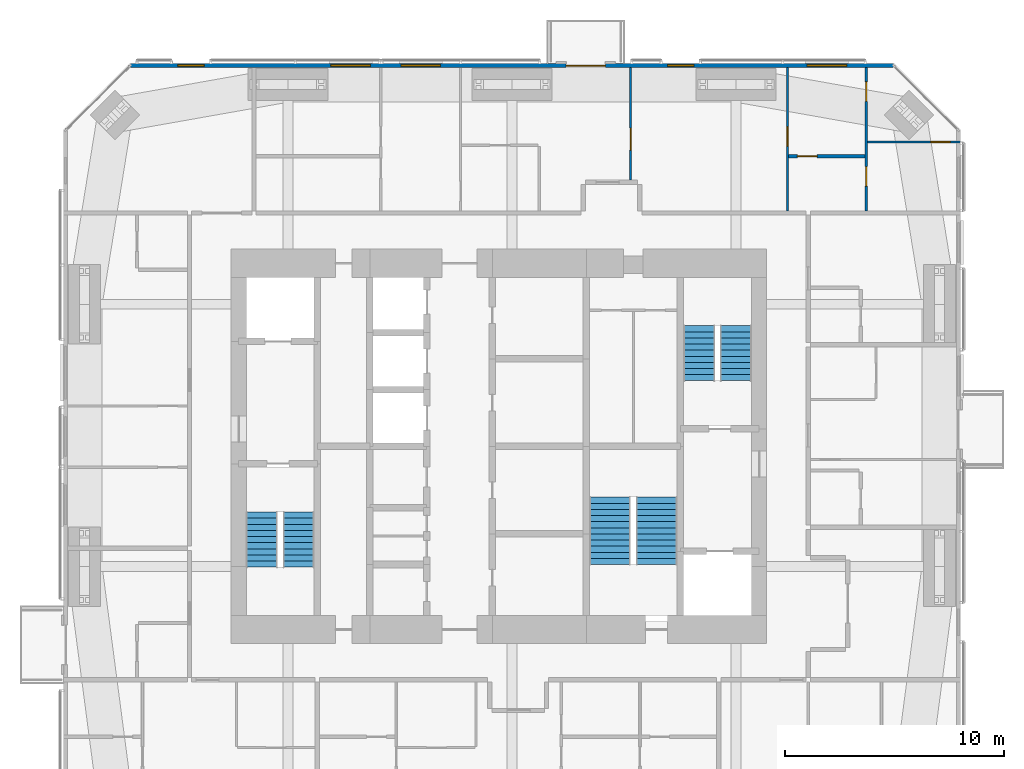
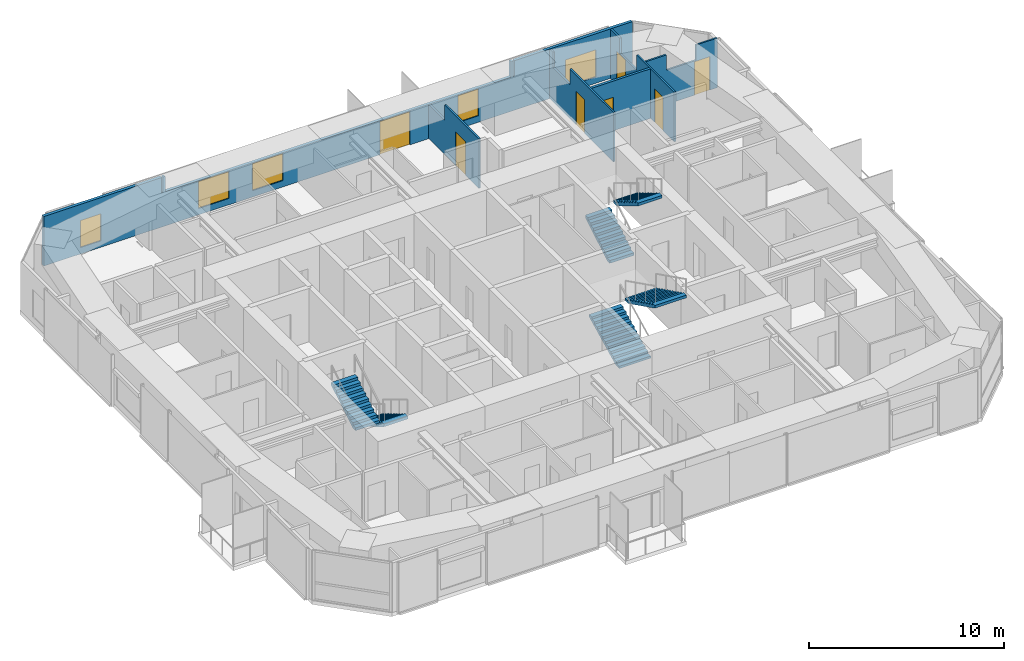
# One storey, part 22 of 23: 7 doors, 6 stair flights, 6 walls, 5 windows, 12 openings, 3 elements without a shape of their own.
"""IFC4 building model written with IfcOpenShell, lengths in metres."""

import ifcopenshell
import ifcopenshell.guid

model = None  # the IFC model being written
_history = None  # IfcOwnerHistory: only IFC2X3 demands one
_inside = {}  # id of a spatial element -> (the spatial element, [elements in it])
_under = {}  # id of a project, library or spatial element -> (it, [spatial elements below it])
_declared = {}  # id of a project -> (the project, [libraries it declares])
_typed = {}  # id of a type object -> (the type object, [elements of that type])
_made_of = {}  # id of a material, layer set ... -> (it, [elements and type objects made of it])


def new_model(schema):
    """Start an empty IFC model of exactly this schema.

    Asked for "IFC4X3", IfcOpenShell would pick the latest addendum, in which some entities
    have other attributes; the version numbers below select the first issue.
    IFC2X3 requires an IfcOwnerHistory on every rooted entity: one is made here for all.
    """
    global model, _history
    if schema == "IFC4X3":
        model = ifcopenshell.file(schema_version=(4, 3, 0, 0))
    else:
        model = ifcopenshell.file(schema=schema)
    _inside.clear()
    _under.clear()
    _declared.clear()
    _typed.clear()
    _made_of.clear()
    _history = None
    if model.schema == "IFC2X3":
        org = make("IfcOrganization", Name="unknown")
        user = make(
            "IfcPersonAndOrganization",
            ThePerson=make("IfcPerson", FamilyName="unknown"),
            TheOrganization=org,
        )
        app = make(
            "IfcApplication",
            ApplicationDeveloper=org,
            Version="unknown",
            ApplicationFullName="unknown",
            ApplicationIdentifier="unknown",
        )
        _history = make(
            "IfcOwnerHistory",
            OwningUser=user,
            OwningApplication=app,
            ChangeAction="ADDED",
            CreationDate=0,
        )
    return model


def make(cls, **values):
    """One entity of the class cls with the attributes given. An attribute that is None is left unset."""
    return model.create_entity(
        cls, **{name: value for name, value in values.items() if value is not None}
    )


def rooted(cls, **values):
    """An entity with a GlobalId (a new one), such as an element, a storey or a relation."""
    return make(cls, GlobalId=ifcopenshell.guid.new(), OwnerHistory=_history, **values)


def si_unit(unit_type, name, prefix=None):
    """IfcSIUnit, for example si_unit("LENGTHUNIT", "METRE", prefix="MILLI")."""
    return make("IfcSIUnit", UnitType=unit_type, Prefix=prefix, Name=name)


def assignment(units):
    """IfcUnitAssignment: the units of a project."""
    return None if units is None else make("IfcUnitAssignment", Units=units)


def point(xyz):
    """IfcCartesianPoint."""
    return None if xyz is None else make("IfcCartesianPoint", Coordinates=xyz)


def direction(xyz):
    """IfcDirection."""
    return None if xyz is None else make("IfcDirection", DirectionRatios=xyz)


def frame(location, z_axis=None, x_axis=None):
    """IfcAxis2Placement3D, a coordinate frame: its origin and axes. An axis left out is left unset."""
    return make(
        "IfcAxis2Placement3D",
        Location=point(location),
        Axis=direction(z_axis),
        RefDirection=direction(x_axis),
    )


def frame_2d(location, x_axis=None):
    """IfcAxis2Placement2D, a coordinate frame in the plane: its origin and x axis."""
    return make(
        "IfcAxis2Placement2D", Location=point(location), RefDirection=direction(x_axis)
    )


def origin():
    """The frame at (0, 0, 0) with its axes left unset."""
    return frame((0.0, 0.0, 0.0))


def place(relative_to, where):
    """IfcLocalPlacement: puts the frame where relative to a parent placement (None: the world)."""
    return make(
        "IfcLocalPlacement", PlacementRelTo=relative_to, RelativePlacement=where
    )


def context(
    kind, dimensions, precision=None, world=None, true_north=None, identifier=None
):
    """IfcGeometricRepresentationContext, for example the 3D "Model" context."""
    return make(
        "IfcGeometricRepresentationContext",
        ContextIdentifier=identifier,
        ContextType=kind,
        CoordinateSpaceDimension=dimensions,
        Precision=precision,
        WorldCoordinateSystem=world,
        TrueNorth=true_north,
    )


def subcontext(parent, identifier, kind, view, scale=None):
    """IfcGeometricRepresentationSubContext, for example "Body" below "Model"."""
    return make(
        "IfcGeometricRepresentationSubContext",
        ContextIdentifier=identifier,
        ContextType=kind,
        ParentContext=parent,
        TargetScale=scale,
        TargetView=view,
    )


def project(units=None, contexts=None):
    """IfcProject with its units and contexts."""
    return rooted(
        "IfcProject",
        Name="project",
        RepresentationContexts=contexts,
        UnitsInContext=assignment(units),
    )


def spatial(cls, under=None, at=None, **own):
    """A site, building, storey or space (cls), placed at a placement, below another one or the project."""
    s = rooted(cls, ObjectPlacement=at, **own)
    if under is not None:
        _under.setdefault(under.id(), (under, []))[1].append(s)
    return s


def polyline(points):
    """IfcPolyline through the points."""
    return make("IfcPolyline", Points=[point(p) for p in points])


def profile(cls, at=None, kind="AREA", **sizes):
    """A parametric profile (cls). Its sizes go by their IFC names, for example OverallWidth=200.0."""
    return make(cls, ProfileType=kind, Position=at, **sizes)


def rectangle(**sizes):
    """IfcRectangleProfileDef."""
    return profile("IfcRectangleProfileDef", **sizes)


def outline(outer, holes=None, kind="AREA"):
    """IfcArbitraryClosedProfileDef: a profile drawn as a closed curve; with holes, ...WithVoids."""
    if holes is None:
        return make("IfcArbitraryClosedProfileDef", ProfileType=kind, OuterCurve=outer)
    return make(
        "IfcArbitraryProfileDefWithVoids",
        ProfileType=kind,
        OuterCurve=outer,
        InnerCurves=holes,
    )


def extrude(swept, where, along, depth):
    """IfcExtrudedAreaSolid: the profile swept, set in the frame where, extruded along a direction by depth."""
    return make(
        "IfcExtrudedAreaSolid",
        SweptArea=swept,
        Position=where,
        ExtrudedDirection=direction(along),
        Depth=depth,
    )


def shape(context_of_items, identifier, shape_type, items):
    """IfcShapeRepresentation: the items that make up one representation, for example the "Body"."""
    return make(
        "IfcShapeRepresentation",
        ContextOfItems=context_of_items,
        RepresentationIdentifier=identifier,
        RepresentationType=shape_type,
        Items=items,
    )


def material(Name=None, Category=None):
    """IfcMaterial."""
    return make("IfcMaterial", Name=Name, Category=Category)


def constituent(of_material, Name=None, Category=None, fraction=None):
    """IfcMaterialConstituent: one of the materials an element consists of."""
    return make(
        "IfcMaterialConstituent",
        Name=Name,
        Material=of_material,
        Fraction=fraction,
        Category=Category,
    )


def constituent_set(constituents=None, Name=None):
    """IfcMaterialConstituentSet."""
    return make(
        "IfcMaterialConstituentSet", Name=Name, MaterialConstituents=constituents
    )


def made_of(thing, what):
    """Note that an element or type object is made of a material, layer set ...; save() writes the relation."""
    if what is not None:
        _made_of.setdefault(what.id(), (what, []))[1].append(thing)
    return thing


def type_object(cls, material=None, **own):
    """A type object (cls), such as IfcWallType, which elements share."""
    return made_of(rooted(cls, **own), material)


def element(
    cls,
    number,
    at=None,
    inside=None,
    cuts=None,
    type_object=None,
    material=None,
    context=None,
    identifier="Body",
    shape_type=None,
    held_by="IfcProductDefinitionShape",
    body=None,
    shapes=None,
    **own,
):
    """One element of the class cls, such as IfcWall. Its Tag is "e" and its number.

    at: its placement. inside: the storey or other place that contains it. cuts: it is an
    opening in that element (IfcRelVoidsElement). A single representation is given by context,
    identifier, shape_type and body (its items); several are given by shapes. held_by: the class
    of the entity that holds the representations. save() writes the other relations.
    """
    e = rooted(cls, Tag="e%d" % number, ObjectPlacement=at, **own)
    if body is not None:
        shapes = [shape(context, identifier, shape_type, body)]
    if shapes is not None:
        e.Representation = make(held_by, Representations=shapes)
    if inside is not None:
        _inside.setdefault(inside.id(), (inside, []))[1].append(e)
    if cuts is not None:
        rooted(
            "IfcRelVoidsElement", RelatingBuildingElement=cuts, RelatedOpeningElement=e
        )
    if type_object is not None:
        _typed.setdefault(type_object.id(), (type_object, []))[1].append(e)
    return made_of(e, material)


def fill(opening, filler):
    """IfcRelFillsElement: the door or window that sits in an opening."""
    return rooted(
        "IfcRelFillsElement",
        RelatingOpeningElement=opening,
        RelatedBuildingElement=filler,
    )


def aggregate(whole, parts):
    """IfcRelAggregates: a whole, such as a stair, and the parts it consists of."""
    return rooted("IfcRelAggregates", RelatingObject=whole, RelatedObjects=parts)


def save(model, path):
    """Write the relations noted so far, then the file.

    IfcRelAggregates (storeys below a building ...), IfcRelContainedInSpatialStructure (elements
    in a storey), IfcRelDefinesByType, IfcRelAssociatesMaterial and IfcRelDeclares: one each for
    every whole, place, type object, material and project.
    """
    for whole, parts in _under.values():
        aggregate(whole, parts)
    for where, things in _inside.values():
        rooted(
            "IfcRelContainedInSpatialStructure",
            RelatedElements=things,
            RelatingStructure=where,
        )
    for kind, things in _typed.values():
        rooted("IfcRelDefinesByType", RelatedObjects=things, RelatingType=kind)
    for what, things in _made_of.values():
        rooted("IfcRelAssociatesMaterial", RelatedObjects=things, RelatingMaterial=what)
    for by, libraries in _declared.values():
        rooted("IfcRelDeclares", RelatingContext=by, RelatedDefinitions=libraries)
    model.write(path)


model = new_model("IFC4")

# Units and contexts
model_context = context("Model", 3, precision=1e-05, world=origin(), true_north=direction((0.0, 1.0)))
body_context = subcontext(model_context, "Body", "Model", "MODEL_VIEW")
ifc_project = project(units=[si_unit("LENGTHUNIT", "METRE"), si_unit("AREAUNIT", "SQUARE_METRE"), si_unit("VOLUMEUNIT", "CUBIC_METRE"), si_unit("PLANEANGLEUNIT", "RADIAN"), si_unit("MASSUNIT", "GRAM", prefix="KILO")], contexts=[model_context])

# Site, building, storey
site_placement = place(None, origin())
site = spatial("IfcSite", under=ifc_project, at=site_placement, CompositionType="ELEMENT")
building_placement = place(site_placement, origin())
building = spatial("IfcBuilding", under=site, at=building_placement, Name="Jalousie Tower", CompositionType="ELEMENT")
storey_placement = place(building_placement, frame((0.0, 0.0, 181.14990234375)))
storey = spatial("IfcBuildingStorey", under=building, at=storey_placement, Name="L49", CompositionType="ELEMENT", Elevation=181.14990234375)

# Wall, opening, door
ifc_material_1 = material(Name="Concrete block ASTM C90", Category="concrete")
ifc_constituent_1 = constituent(ifc_material_1, Name="Body")
ifc_material_2 = material(Name="Render")
ifc_constituent_2 = constituent(ifc_material_2, Name="Finish")
ifc_constituent_set_1 = constituent_set(constituents=[ifc_constituent_1, ifc_constituent_2])
wall_type_1 = type_object("IfcWallType", Name="BATHROOM WALL 150", PredefinedType="PLUMBINGWALL", material=ifc_constituent_set_1)
wall_1_placement = place(storey_placement, frame((45.14990234375, 31.77490234375, 0.0), z_axis=(0.0, 0.0, 1.0), x_axis=(1.0, 0.0, 0.0)))
wall_1 = element("IfcWall", 1, at=wall_1_placement, inside=storey, type_object=wall_type_1, Name="Bathroom Wall 150 L49", PredefinedType="PLUMBINGWALL", context=body_context, shape_type="SweptSolid", body=[
    extrude(rectangle(XDim=3.5, YDim=0.14990234375, at=frame_2d((1.75, 0.0))), origin(), (0.0, 0.0, 1.0), 3.110107421875),
])
opening_1_placement = place(wall_1_placement, frame((0.39990234375, 0.0, 0.0)))
opening_1 = element("IfcOpeningElement", 2, at=opening_1_placement, cuts=wall_1, Name="Opening D3", PredefinedType="OPENING", context=body_context, shape_type="SweptSolid", body=[
    extrude(rectangle(XDim=0.89990234375, YDim=2.10009765625, at=frame_2d((0.449951171875, 1.050048828125))), frame((0.0, 0.0849609375, 0.0), z_axis=(0.0, -1.0, 0.0), x_axis=(1.0, 0.0, 0.0)), (0.0, 0.0, 1.0), 0.169921875),
])
ifc_material_3 = material(Name="Timber door", Category="wood")
door_type_1 = type_object("IfcDoorType", Name="BATHROOM DOOR 900", OperationType="SINGLE_SWING_LEFT", PredefinedType="DOOR", material=ifc_material_3)
door_1_placement = place(opening_1_placement, frame((0.89990234375, 0.0, 0.0), z_axis=(0.0, 0.0, 1.0), x_axis=(-1.0, 0.0, 0.0)))
door_1 = element("IfcDoor", 3, at=door_1_placement, inside=storey, type_object=door_type_1, Name="Apartment 4904 bedroom 2 bathroom door", OperationType="SINGLE_SWING_RIGHT", OverallHeight=2.10009765625, OverallWidth=0.89990234375, PredefinedType="DOOR", context=body_context, shape_type="SweptSolid", body=[
    extrude(rectangle(XDim=0.89990234375, YDim=2.10009765625, at=frame_2d((0.449951171875, 1.050048828125))), frame((0.0, 0.02490234375, 0.0), z_axis=(0.0, -1.0, 0.0), x_axis=(1.0, 0.0, 0.0)), (0.0, 0.0, 1.0), 0.050048828125),
])
fill(opening_1, door_1)

# Wall, openings, door, windows
ifc_material_4 = material(Name="Concrete f'c 40 MPa", Category="concrete")
ifc_constituent_3 = constituent(ifc_material_4, Name="Body")
ifc_material_5 = material(Name="Render, pastel lemon")
ifc_constituent_4 = constituent(ifc_material_5, Name="Finish")
ifc_constituent_set_2 = constituent_set(constituents=[ifc_constituent_3, ifc_constituent_4])
wall_type_2 = type_object("IfcWallType", Name="EXTERNAL WALL 175 LEMON RENDER", PredefinedType="SOLIDWALL", material=ifc_constituent_set_2)
wall_2_placement = place(storey_placement, frame((49.94873046875, 35.91259765625, 0.0), z_axis=(0.0, 0.0, 1.0), x_axis=(-1.0, 0.0, 0.0)))
wall_2 = element("IfcWall", 4, at=wall_2_placement, inside=storey, type_object=wall_type_2, Name="External Wall 175 Lemon Render L49", PredefinedType="SOLIDWALL", context=body_context, shape_type="SweptSolid", body=[
    extrude(outline(polyline([(0.0, 0.0), (34.8974609375, 0.0), (34.8974609375, 3.110107421875), (27.91015625, 3.110107421875), (27.91015625, 2.150146484375), (27.8359375, 2.150146484375), (27.8359375, 3.110107421875), (27.69873046875, 3.110107421875), (27.69873046875, 2.150146484375), (7.19873046875, 2.150146484375), (7.19873046875, 3.110107421875), (7.0615234375, 3.110107421875), (7.0615234375, 2.150146484375), (6.9873046875, 2.150146484375), (6.9873046875, 3.110107421875), (0.0, 3.110107421875), (0.0, 0.0)])), frame((0.0, 0.08740234375, 0.0), z_axis=(0.0, -1.0, 0.0), x_axis=(1.0, 0.0, 0.0)), (0.0, 0.0, 1.0), 0.175048828125),
])
opening_2_placement = place(wall_2_placement, frame((2.148681640625, 0.0, 0.39990234375)))
opening_2 = element("IfcOpeningElement", 5, at=opening_2_placement, cuts=wall_2, Name="Opening W-BED170", PredefinedType="OPENING", context=body_context, shape_type="SweptSolid", body=[
    extrude(rectangle(XDim=1.800048828125, YDim=1.699951171875, at=frame_2d((0.89990234375, 0.85009765625))), frame((0.0, 0.097412109375, 0.0), z_axis=(0.0, -1.0, 0.0), x_axis=(1.0, 0.0, 0.0)), (0.0, 0.0, 1.0), 0.195068359375),
])
opening_3_placement = place(wall_2_placement, frame((9.1298828125, 0.0, 0.39990234375)))
opening_3 = element("IfcOpeningElement", 6, at=opening_3_placement, cuts=wall_2, Name="Opening W-COR170", PredefinedType="OPENING", context=body_context, shape_type="SweptSolid", body=[
    extrude(rectangle(XDim=1.199951171875, YDim=1.699951171875, at=frame_2d((0.60009765625, 0.85009765625))), frame((0.0, 0.097412109375, 0.0), z_axis=(0.0, -1.0, 0.0), x_axis=(1.0, 0.0, 0.0)), (0.0, 0.0, 1.0), 0.195068359375),
])
opening_4_placement = place(wall_2_placement, frame((13.173583984375, 0.0, 0.0)))
opening_4 = element("IfcOpeningElement", 7, at=opening_4_placement, cuts=wall_2, Name="Opening D-BAL21", PredefinedType="OPENING", context=body_context, shape_type="SweptSolid", body=[
    extrude(rectangle(XDim=1.800048828125, YDim=2.10009765625, at=frame_2d((0.89990234375, 1.050048828125))), frame((0.0, 0.097412109375, 0.0), z_axis=(0.0, -1.0, 0.0), x_axis=(1.0, 0.0, 0.0)), (0.0, 0.0, 1.0), 0.195068359375),
])
opening_5_placement = place(wall_2_placement, frame((20.7236328125, 0.0, 0.39990234375)))
opening_5 = element("IfcOpeningElement", 8, at=opening_5_placement, cuts=wall_2, Name="Opening W-BED170", PredefinedType="OPENING", context=body_context, shape_type="SweptSolid", body=[
    extrude(rectangle(XDim=1.800048828125, YDim=1.699951171875, at=frame_2d((0.89990234375, 0.85009765625))), frame((0.0, 0.097412109375, 0.0), z_axis=(0.0, -1.0, 0.0), x_axis=(1.0, 0.0, 0.0)), (0.0, 0.0, 1.0), 0.195068359375),
])
opening_6_placement = place(wall_2_placement, frame((23.9287109375, 0.0, 0.39990234375)))
opening_6 = element("IfcOpeningElement", 9, at=opening_6_placement, cuts=wall_2, Name="Opening W-BED170", PredefinedType="OPENING", context=body_context, shape_type="SweptSolid", body=[
    extrude(rectangle(XDim=1.800048828125, YDim=1.699951171875, at=frame_2d((0.89990234375, 0.85009765625))), frame((0.0, 0.097412109375, 0.0), z_axis=(0.0, -1.0, 0.0), x_axis=(1.0, 0.0, 0.0)), (0.0, 0.0, 1.0), 0.195068359375),
])
opening_7_placement = place(wall_2_placement, frame((31.523193359375, 0.0, 0.39990234375)))
opening_7 = element("IfcOpeningElement", 10, at=opening_7_placement, cuts=wall_2, Name="Opening W-COR170", PredefinedType="OPENING", context=body_context, shape_type="SweptSolid", body=[
    extrude(rectangle(XDim=1.199951171875, YDim=1.699951171875, at=frame_2d((0.60009765625, 0.85009765625))), frame((0.0, 0.097412109375, 0.0), z_axis=(0.0, -1.0, 0.0), x_axis=(1.0, 0.0, 0.0)), (0.0, 0.0, 1.0), 0.195068359375),
])
ifc_material_6 = material(Name="Aluminium frame, impact-rated glazing", Category="aluminium")
door_type_2 = type_object("IfcDoorType", Name="BALCONY DOOR 1800x2100", OperationType="SLIDING_TO_LEFT", PredefinedType="DOOR", material=ifc_material_6)
door_2_placement = place(opening_4_placement, origin())
door_2 = element("IfcDoor", 11, at=door_2_placement, inside=storey, type_object=door_type_2, Name="Apartment 4904 living room balcony door", OperationType="SLIDING_TO_LEFT", OverallHeight=2.10009765625, OverallWidth=1.800048828125, PredefinedType="DOOR", context=body_context, shape_type="SweptSolid", body=[
    extrude(rectangle(XDim=1.800048828125, YDim=2.10009765625, at=frame_2d((0.89990234375, 1.050048828125))), frame((0.0, 0.02490234375, 0.0), z_axis=(0.0, -1.0, 0.0), x_axis=(1.0, 0.0, 0.0)), (0.0, 0.0, 1.0), 0.050048828125),
])
fill(opening_4, door_2)
ifc_material_7 = material(Name="Aluminium frame, impact-rated glazing", Category="aluminium")
window_type_1 = type_object("IfcWindowType", Name="WINDOW BED 1800x1700", PartitioningType="SINGLE_PANEL", PredefinedType="WINDOW", material=ifc_material_7)
window_1_placement = place(opening_2_placement, origin())
window_1 = element("IfcWindow", 12, at=window_1_placement, inside=storey, type_object=window_type_1, Name="Apartment 4904 bedroom 2 window", OverallHeight=1.699951171875, OverallWidth=1.800048828125, PartitioningType="SINGLE_PANEL", PredefinedType="WINDOW", context=body_context, shape_type="SweptSolid", body=[
    extrude(rectangle(XDim=1.800048828125, YDim=1.699951171875, at=frame_2d((0.89990234375, 0.85009765625))), frame((0.0, 0.030029296875, 0.0), z_axis=(0.0, -1.0, 0.0), x_axis=(1.0, 0.0, 0.0)), (0.0, 0.0, 1.0), 0.06005859375),
])
fill(opening_2, window_1)
window_2_placement = place(opening_5_placement, origin())
window_2 = element("IfcWindow", 13, at=window_2_placement, inside=storey, type_object=window_type_1, Name="Apartment 4904 study window", OverallHeight=1.699951171875, OverallWidth=1.800048828125, PartitioningType="SINGLE_PANEL", PredefinedType="WINDOW", context=body_context, shape_type="SweptSolid", body=[
    extrude(rectangle(XDim=1.800048828125, YDim=1.699951171875, at=frame_2d((0.89990234375, 0.85009765625))), frame((0.0, 0.030029296875, 0.0), z_axis=(0.0, -1.0, 0.0), x_axis=(1.0, 0.0, 0.0)), (0.0, 0.0, 1.0), 0.06005859375),
])
fill(opening_5, window_2)
window_3_placement = place(opening_6_placement, origin())
window_3 = element("IfcWindow", 14, at=window_3_placement, inside=storey, type_object=window_type_1, Name="Apartment 4904 bedroom 1 window", OverallHeight=1.699951171875, OverallWidth=1.800048828125, PartitioningType="SINGLE_PANEL", PredefinedType="WINDOW", context=body_context, shape_type="SweptSolid", body=[
    extrude(rectangle(XDim=1.800048828125, YDim=1.699951171875, at=frame_2d((0.89990234375, 0.85009765625))), frame((0.0, 0.030029296875, 0.0), z_axis=(0.0, -1.0, 0.0), x_axis=(1.0, 0.0, 0.0)), (0.0, 0.0, 1.0), 0.06005859375),
])
fill(opening_6, window_3)
ifc_material_8 = material(Name="Aluminium frame, impact-rated glazing", Category="aluminium")
window_type_2 = type_object("IfcWindowType", Name="WINDOW COR 1200x1700", PartitioningType="SINGLE_PANEL", PredefinedType="WINDOW", material=ifc_material_8)
window_4_placement = place(opening_3_placement, origin())
window_4 = element("IfcWindow", 15, at=window_4_placement, inside=storey, type_object=window_type_2, Name="Apartment 4904 dining room window", OverallHeight=1.699951171875, OverallWidth=1.199951171875, PartitioningType="SINGLE_PANEL", PredefinedType="WINDOW", context=body_context, shape_type="SweptSolid", body=[
    extrude(rectangle(XDim=1.199951171875, YDim=1.699951171875, at=frame_2d((0.60009765625, 0.85009765625))), frame((0.0, 0.030029296875, 0.0), z_axis=(0.0, -1.0, 0.0), x_axis=(1.0, 0.0, 0.0)), (0.0, 0.0, 1.0), 0.06005859375),
])
fill(opening_3, window_4)
window_5_placement = place(opening_7_placement, origin())
window_5 = element("IfcWindow", 16, at=window_5_placement, inside=storey, type_object=window_type_2, Name="Residents' lounge window", OverallHeight=1.699951171875, OverallWidth=1.199951171875, PartitioningType="SINGLE_PANEL", PredefinedType="WINDOW", context=body_context, shape_type="SweptSolid", body=[
    extrude(rectangle(XDim=1.199951171875, YDim=1.699951171875, at=frame_2d((0.60009765625, 0.85009765625))), frame((0.0, 0.030029296875, 0.0), z_axis=(0.0, -1.0, 0.0), x_axis=(1.0, 0.0, 0.0)), (0.0, 0.0, 1.0), 0.06005859375),
])
fill(opening_7, window_5)

# Wall, opening, door
ifc_material_9 = material(Name="Gypsum board", Category="gypsum")
ifc_constituent_5 = constituent(ifc_material_9, Name="Body")
ifc_material_10 = material(Name="Light-gauge steel studs ASTM A653 SS Grade 33", Category="steel")
ifc_constituent_6 = constituent(ifc_material_10, Name="Framing")
ifc_constituent_set_3 = constituent_set(constituents=[ifc_constituent_5, ifc_constituent_6])
wall_type_3 = type_object("IfcWallType", Name="PARTITION 100", PredefinedType="PARTITIONING", material=ifc_constituent_set_3)
wall_3_placement = place(storey_placement, frame((45.10009765625, 35.824951171875, 0.0), z_axis=(0.0, 0.0, 1.0), x_axis=(0.0, -1.0, 0.0)))
wall_3 = element("IfcWall", 17, at=wall_3_placement, inside=storey, type_object=wall_type_3, Name="Partition 100 L49", PredefinedType="PARTITIONING", context=body_context, shape_type="SweptSolid", body=[
    extrude(outline(polyline([(0.0, 0.0), (6.550048828125, 0.0), (6.550048828125, 3.110107421875), (2.064208984375, 3.110107421875), (2.064208984375, 2.150146484375), (0.317626953125, 2.150146484375), (0.317626953125, 3.110107421875), (0.0, 3.110107421875), (0.0, 0.0)])), frame((0.0, 0.050048828125, 0.0), z_axis=(0.0, -1.0, 0.0), x_axis=(1.0, 0.0, 0.0)), (0.0, 0.0, 1.0), 0.10009765625),
])
opening_8_placement = place(wall_3_placement, frame((2.699951171875, 0.0, 0.0)))
opening_8 = element("IfcOpeningElement", 18, at=opening_8_placement, cuts=wall_3, Name="Opening D2", PredefinedType="OPENING", context=body_context, shape_type="SweptSolid", body=[
    extrude(rectangle(XDim=0.89990234375, YDim=2.10009765625, at=frame_2d((0.449951171875, 1.050048828125))), frame((0.0, 0.06005859375, 0.0), z_axis=(0.0, -1.0, 0.0), x_axis=(1.0, 0.0, 0.0)), (0.0, 0.0, 1.0), 0.1201171875),
])
ifc_material_11 = material(Name="Timber door", Category="wood")
door_type_3 = type_object("IfcDoorType", Name="BEDROOM DOOR 900", OperationType="SINGLE_SWING_LEFT", PredefinedType="DOOR", material=ifc_material_11)
door_3_placement = place(opening_8_placement, origin())
door_3 = element("IfcDoor", 19, at=door_3_placement, inside=storey, type_object=door_type_3, Name="Apartment 4904 bedroom 2 door", OperationType="SINGLE_SWING_RIGHT", OverallHeight=2.10009765625, OverallWidth=0.89990234375, PredefinedType="DOOR", context=body_context, shape_type="SweptSolid", body=[
    extrude(rectangle(XDim=0.89990234375, YDim=2.10009765625, at=frame_2d((0.449951171875, 1.050048828125))), frame((0.0, 0.02490234375, 0.0), z_axis=(0.0, -1.0, 0.0), x_axis=(1.0, 0.0, 0.0)), (0.0, 0.0, 1.0), 0.050048828125),
])
fill(opening_8, door_3)

# Wall, openings, doors
wall_4_placement = place(storey_placement, frame((48.699951171875, 35.824951171875, 0.0), z_axis=(0.0, 0.0, 1.0), x_axis=(0.0, -1.0, 0.0)))
wall_4 = element("IfcWall", 20, at=wall_4_placement, inside=storey, type_object=wall_type_3, Name="Partition 100 L49", PredefinedType="PARTITIONING", context=body_context, shape_type="SweptSolid", body=[
    extrude(outline(polyline([(0.0, 0.0), (6.550048828125, 0.0), (6.550048828125, 3.110107421875), (2.701416015625, 3.110107421875), (2.701416015625, 2.150146484375), (0.95458984375, 2.150146484375), (0.95458984375, 3.110107421875), (0.0, 3.110107421875), (0.0, 0.0)])), frame((0.0, 0.050048828125, 0.0), z_axis=(0.0, -1.0, 0.0), x_axis=(1.0, 0.0, 0.0)), (0.0, 0.0, 1.0), 0.10009765625),
])
opening_9_placement = place(wall_4_placement, frame((0.64990234375, 0.0, 0.0)))
opening_9 = element("IfcOpeningElement", 21, at=opening_9_placement, cuts=wall_4, Name="Opening D2", PredefinedType="OPENING", context=body_context, shape_type="SweptSolid", body=[
    extrude(rectangle(XDim=0.89990234375, YDim=2.10009765625, at=frame_2d((0.449951171875, 1.050048828125))), frame((0.0, 0.06005859375, 0.0), z_axis=(0.0, -1.0, 0.0), x_axis=(1.0, 0.0, 0.0)), (0.0, 0.0, 1.0), 0.1201171875),
])
opening_10_placement = place(wall_4_placement, frame((4.52734375, 0.0, 0.0)))
opening_10 = element("IfcOpeningElement", 22, at=opening_10_placement, cuts=wall_4, Name="Opening D3", PredefinedType="OPENING", context=body_context, shape_type="SweptSolid", body=[
    extrude(rectangle(XDim=0.89990234375, YDim=2.10009765625, at=frame_2d((0.449951171875, 1.050048828125))), frame((0.0, 0.06005859375, 0.0), z_axis=(0.0, -1.0, 0.0), x_axis=(1.0, 0.0, 0.0)), (0.0, 0.0, 1.0), 0.1201171875),
])
door_4_placement = place(opening_10_placement, frame((0.89990234375, 0.0, 0.0), z_axis=(0.0, 0.0, 1.0), x_axis=(-1.0, 0.0, 0.0)))
door_4 = element("IfcDoor", 23, at=door_4_placement, inside=storey, type_object=door_type_1, Name="Apartment 4904 bedroom 3 bathroom door", OperationType="SINGLE_SWING_RIGHT", OverallHeight=2.10009765625, OverallWidth=0.89990234375, PredefinedType="DOOR", context=body_context, shape_type="SweptSolid", body=[
    extrude(rectangle(XDim=0.89990234375, YDim=2.10009765625, at=frame_2d((0.449951171875, 1.050048828125))), frame((0.0, 0.02490234375, 0.0), z_axis=(0.0, -1.0, 0.0), x_axis=(1.0, 0.0, 0.0)), (0.0, 0.0, 1.0), 0.050048828125),
])
fill(opening_10, door_4)
door_5_placement = place(opening_9_placement, frame((0.89990234375, 0.0, 0.0), z_axis=(0.0, 0.0, 1.0), x_axis=(-1.0, 0.0, 0.0)))
door_5 = element("IfcDoor", 24, at=door_5_placement, inside=storey, type_object=door_type_3, Name="Apartment 4904 bedroom 3 door", OperationType="SINGLE_SWING_RIGHT", OverallHeight=2.10009765625, OverallWidth=0.89990234375, PredefinedType="DOOR", context=body_context, shape_type="SweptSolid", body=[
    extrude(rectangle(XDim=0.89990234375, YDim=2.10009765625, at=frame_2d((0.449951171875, 1.050048828125))), frame((0.0, 0.02490234375, 0.0), z_axis=(0.0, -1.0, 0.0), x_axis=(1.0, 0.0, 0.0)), (0.0, 0.0, 1.0), 0.050048828125),
])
fill(opening_9, door_5)

# Wall, opening, door
wall_5_placement = place(storey_placement, frame((48.75, 32.420166015625, 0.0), z_axis=(0.0, 0.0, 1.0), x_axis=(1.0, 0.0, 0.0)))
wall_5 = element("IfcWall", 25, at=wall_5_placement, inside=storey, type_object=wall_type_3, Name="Partition 100 L49", PredefinedType="PARTITIONING", context=body_context, shape_type="SweptSolid", body=[
    extrude(outline(polyline([(0.0, 0.0), (4.25, 0.0), (4.25, 3.110107421875), (2.9716796875, 3.110107421875), (2.9716796875, 2.150146484375), (1.2294921875, 2.150146484375), (1.2294921875, 3.110107421875), (0.0, 3.110107421875), (0.0, 0.0)])), frame((0.0, 0.050048828125, 0.0), z_axis=(0.0, -1.0, 0.0), x_axis=(1.0, 0.0, 0.0)), (0.0, 0.0, 1.0), 0.10009765625),
])
opening_11_placement = place(wall_5_placement, frame((2.89990234375, 0.0, 0.0)))
opening_11 = element("IfcOpeningElement", 26, at=opening_11_placement, cuts=wall_5, Name="Opening D7", PredefinedType="OPENING", context=body_context, shape_type="SweptSolid", body=[
    extrude(rectangle(XDim=0.89990234375, YDim=2.10009765625, at=frame_2d((0.449951171875, 1.050048828125))), frame((0.0, 0.06005859375, 0.0), z_axis=(0.0, -1.0, 0.0), x_axis=(1.0, 0.0, 0.0)), (0.0, 0.0, 1.0), 0.1201171875),
])
ifc_material_12 = material(Name="Timber door", Category="wood")
door_type_4 = type_object("IfcDoorType", Name="INTERNAL DOOR 900", OperationType="SINGLE_SWING_LEFT", PredefinedType="DOOR", material=ifc_material_12)
door_6_placement = place(opening_11_placement, frame((0.89990234375, 0.0, 0.0), z_axis=(0.0, 0.0, 1.0), x_axis=(-1.0, 0.0, 0.0)))
door_6 = element("IfcDoor", 27, at=door_6_placement, inside=storey, type_object=door_type_4, Name="Apartment 4904 bedroom 3 dressing hall door", OperationType="SINGLE_SWING_LEFT", OverallHeight=2.10009765625, OverallWidth=0.89990234375, PredefinedType="DOOR", context=body_context, shape_type="SweptSolid", body=[
    extrude(rectangle(XDim=0.89990234375, YDim=2.10009765625, at=frame_2d((0.449951171875, 1.050048828125))), frame((0.0, 0.02490234375, 0.0), z_axis=(0.0, -1.0, 0.0), x_axis=(1.0, 0.0, 0.0)), (0.0, 0.0, 1.0), 0.050048828125),
])
fill(opening_11, door_6)

wall_6_placement = place(storey_placement, frame((37.925048828125, 35.824951171875, 0.0), z_axis=(0.0, 0.0, 1.0), x_axis=(0.0, -1.0, 0.0)))
wall_6 = element("IfcWall", 28, at=wall_6_placement, inside=storey, type_object=wall_type_3, Name="Partition 100 L49", PredefinedType="PARTITIONING", context=body_context, shape_type="SweptSolid", body=[
    extrude(outline(polyline([(0.0, 0.0), (5.14990234375, 0.0), (5.14990234375, 3.110107421875), (1.635009765625, 3.110107421875), (1.635009765625, 2.150146484375), (0.0, 2.150146484375), (0.0, 3.110107421875), (0.0, 0.0)])), frame((0.0, 0.050048828125, 0.0), z_axis=(0.0, -1.0, 0.0), x_axis=(1.0, 0.0, 0.0)), (0.0, 0.0, 1.0), 0.10009765625),
])
opening_12_placement = place(wall_6_placement, frame((2.77490234375, 0.0, 0.0)))
opening_12 = element("IfcOpeningElement", 29, at=opening_12_placement, cuts=wall_6, Name="Opening D6", PredefinedType="OPENING", context=body_context, shape_type="SweptSolid", body=[
    extrude(rectangle(XDim=1.0, YDim=2.10009765625, at=frame_2d((0.5, 1.050048828125))), frame((0.0, 0.06005859375, 0.0), z_axis=(0.0, -1.0, 0.0), x_axis=(1.0, 0.0, 0.0)), (0.0, 0.0, 1.0), 0.1201171875),
])
ifc_material_13 = material(Name="Timber door", Category="wood")
door_type_5 = type_object("IfcDoorType", Name="INTERNAL DOOR 1000", OperationType="SINGLE_SWING_LEFT", PredefinedType="DOOR", material=ifc_material_13)
door_7_placement = place(opening_12_placement, origin())
door_7 = element("IfcDoor", 30, at=door_7_placement, inside=storey, type_object=door_type_5, Name="Apartment 4904 dining room door", OperationType="SINGLE_SWING_RIGHT", OverallHeight=2.10009765625, OverallWidth=1.0, PredefinedType="DOOR", context=body_context, shape_type="SweptSolid", body=[
    extrude(rectangle(XDim=1.0, YDim=2.10009765625, at=frame_2d((0.5, 1.050048828125))), frame((0.0, 0.02490234375, 0.0), z_axis=(0.0, -1.0, 0.0), x_axis=(1.0, 0.0, 0.0)), (0.0, 0.0, 1.0), 0.050048828125),
])
fill(opening_12, door_7)

# Stair, stair flights
ifc_material_14 = material(Name="Concrete f'c 40 MPa", Category="concrete")
stair_type = type_object("IfcStairType", Name="EXIT STAIR", PredefinedType="HALF_TURN_STAIR", material=ifc_material_14)
stair_1_placement = place(storey_placement, origin())
stair_1 = element("IfcStair", 31, at=stair_1_placement, inside=storey, type_object=stair_type, Name="Exit stair A L49", PredefinedType="HALF_TURN_STAIR")
ifc_material_15 = material(Name="Concrete f'c 40 MPa", Category="concrete")
stair_flight_type = type_object("IfcStairFlightType", Name="STAIR FLIGHT", PredefinedType="STRAIGHT", material=ifc_material_15)
stair_flight_1_placement = place(storey_placement, frame((22.737548828125, 15.49755859375, 0.0), z_axis=(0.0, 0.0, 1.0), x_axis=(0.0, -1.0, 0.0)))
stair_flight_1 = element("IfcStairFlight", 32, at=stair_flight_1_placement, type_object=stair_flight_type, Name="ST-A flight 1", NumberOfRisers=10, NumberOfTreads=9, PredefinedType="STRAIGHT", RiserHeight=0.1675, TreadLength=0.28, context=body_context, shape_type="SweptSolid", body=[
    extrude(outline(polyline([(0.0, 0.0), (0.0, 0.16748046875), (0.280029296875, 0.16748046875), (0.280029296875, 0.3349609375), (0.56005859375, 0.3349609375), (0.56005859375, 0.50244140625), (0.840087890625, 0.50244140625), (0.840087890625, 0.669921875), (1.1201171875, 0.669921875), (1.1201171875, 0.83740234375), (1.39990234375, 0.83740234375), (1.39990234375, 1.0048828125), (1.679931640625, 1.0048828125), (1.679931640625, 1.172607421875), (1.9599609375, 1.172607421875), (1.9599609375, 1.340087890625), (2.239990234375, 1.340087890625), (2.239990234375, 1.507568359375), (2.52001953125, 1.507568359375), (2.52001953125, 1.675048828125), (2.52001953125, 1.332763671875), (0.2919921875, 0.0), (0.0, 0.0)])), frame((0.0, 0.71240234375, 0.0), z_axis=(0.0, -1.0, 0.0), x_axis=(1.0, 0.0, 0.0)), (0.0, 0.0, 1.0), 1.425048828125),
])
stair_flight_2_placement = place(storey_placement, frame((21.0625, 12.9775390625, 1.675048828125), z_axis=(0.0, 0.0, 1.0), x_axis=(0.0, 1.0, 0.0)))
stair_flight_2 = element("IfcStairFlight", 33, at=stair_flight_2_placement, type_object=stair_flight_type, Name="ST-A flight 2", NumberOfRisers=10, NumberOfTreads=9, PredefinedType="STRAIGHT", RiserHeight=0.1675, TreadLength=0.28, context=body_context, shape_type="SweptSolid", body=[
    extrude(outline(polyline([(0.0, 0.0), (0.0, 0.16748046875), (0.280029296875, 0.16748046875), (0.280029296875, 0.3349609375), (0.56005859375, 0.3349609375), (0.56005859375, 0.50244140625), (0.840087890625, 0.50244140625), (0.840087890625, 0.669921875), (1.1201171875, 0.669921875), (1.1201171875, 0.83740234375), (1.39990234375, 0.83740234375), (1.39990234375, 1.0048828125), (1.679931640625, 1.0048828125), (1.679931640625, 1.172607421875), (1.9599609375, 1.172607421875), (1.9599609375, 1.340087890625), (2.239990234375, 1.340087890625), (2.239990234375, 1.507568359375), (2.52001953125, 1.507568359375), (2.52001953125, 1.675048828125), (2.52001953125, 1.332763671875), (0.2919921875, 0.0), (0.0, 0.0)])), frame((0.0, 0.71240234375, 0.0), z_axis=(0.0, -1.0, 0.0), x_axis=(1.0, 0.0, 0.0)), (0.0, 0.0, 1.0), 1.425048828125),
])
aggregate(stair_1, [stair_flight_1, stair_flight_2])

stair_2_placement = place(storey_placement, origin())
stair_2 = element("IfcStair", 34, at=stair_2_placement, inside=storey, type_object=stair_type, Name="Exit stair B L49", PredefinedType="HALF_TURN_STAIR")
stair_flight_3_placement = place(storey_placement, frame((41.0625, 21.50244140625, 0.0), z_axis=(0.0, 0.0, 1.0), x_axis=(0.0, 1.0, 0.0)))
stair_flight_3 = element("IfcStairFlight", 35, at=stair_flight_3_placement, type_object=stair_flight_type, Name="ST-B flight 1", NumberOfRisers=10, NumberOfTreads=9, PredefinedType="STRAIGHT", RiserHeight=0.1675, TreadLength=0.28, context=body_context, shape_type="SweptSolid", body=[
    extrude(outline(polyline([(0.0, 0.0), (0.0, 0.16748046875), (0.280029296875, 0.16748046875), (0.280029296875, 0.3349609375), (0.56005859375, 0.3349609375), (0.56005859375, 0.50244140625), (0.840087890625, 0.50244140625), (0.840087890625, 0.669921875), (1.1201171875, 0.669921875), (1.1201171875, 0.83740234375), (1.39990234375, 0.83740234375), (1.39990234375, 1.0048828125), (1.679931640625, 1.0048828125), (1.679931640625, 1.172607421875), (1.9599609375, 1.172607421875), (1.9599609375, 1.340087890625), (2.239990234375, 1.340087890625), (2.239990234375, 1.507568359375), (2.52001953125, 1.507568359375), (2.52001953125, 1.675048828125), (2.52001953125, 1.332763671875), (0.2919921875, 0.0), (0.0, 0.0)])), frame((0.0, 0.71240234375, 0.0), z_axis=(0.0, -1.0, 0.0), x_axis=(1.0, 0.0, 0.0)), (0.0, 0.0, 1.0), 1.425048828125),
])
stair_flight_4_placement = place(storey_placement, frame((42.737548828125, 24.0224609375, 1.675048828125), z_axis=(0.0, 0.0, 1.0), x_axis=(0.0, -1.0, 0.0)))
stair_flight_4 = element("IfcStairFlight", 36, at=stair_flight_4_placement, type_object=stair_flight_type, Name="ST-B flight 2", NumberOfRisers=10, NumberOfTreads=9, PredefinedType="STRAIGHT", RiserHeight=0.1675, TreadLength=0.28, context=body_context, shape_type="SweptSolid", body=[
    extrude(outline(polyline([(0.0, 0.0), (0.0, 0.16748046875), (0.280029296875, 0.16748046875), (0.280029296875, 0.3349609375), (0.56005859375, 0.3349609375), (0.56005859375, 0.50244140625), (0.840087890625, 0.50244140625), (0.840087890625, 0.669921875), (1.1201171875, 0.669921875), (1.1201171875, 0.83740234375), (1.39990234375, 0.83740234375), (1.39990234375, 1.0048828125), (1.679931640625, 1.0048828125), (1.679931640625, 1.172607421875), (1.9599609375, 1.172607421875), (1.9599609375, 1.340087890625), (2.239990234375, 1.340087890625), (2.239990234375, 1.507568359375), (2.52001953125, 1.507568359375), (2.52001953125, 1.675048828125), (2.52001953125, 1.332763671875), (0.2919921875, 0.0), (0.0, 0.0)])), frame((0.0, 0.71240234375, 0.0), z_axis=(0.0, -1.0, 0.0), x_axis=(1.0, 0.0, 0.0)), (0.0, 0.0, 1.0), 1.425048828125),
])
aggregate(stair_2, [stair_flight_3, stair_flight_4])

stair_3_placement = place(storey_placement, origin())
stair_3 = element("IfcStair", 37, at=stair_3_placement, inside=storey, type_object=stair_type, Name="Exit stair C L49", PredefinedType="HALF_TURN_STAIR")
stair_flight_5_placement = place(storey_placement, frame((36.987548828125, 13.097412109375, 0.0), z_axis=(0.0, 0.0, 1.0), x_axis=(0.0, 1.0, 0.0)))
stair_flight_5 = element("IfcStairFlight", 38, at=stair_flight_5_placement, type_object=stair_flight_type, Name="ST-C flight 1", NumberOfRisers=12, NumberOfTreads=11, PredefinedType="STRAIGHT", RiserHeight=0.139583333, TreadLength=0.28, context=body_context, shape_type="SweptSolid", body=[
    extrude(outline(polyline([(0.0, 0.0), (0.0, 0.1396484375), (0.280029296875, 0.1396484375), (0.280029296875, 0.279052734375), (0.56005859375, 0.279052734375), (0.56005859375, 0.418701171875), (0.840087890625, 0.418701171875), (0.840087890625, 0.558349609375), (1.1201171875, 0.558349609375), (1.1201171875, 0.697998046875), (1.39990234375, 0.697998046875), (1.39990234375, 0.83740234375), (1.679931640625, 0.83740234375), (1.679931640625, 0.97705078125), (1.9599609375, 0.97705078125), (1.9599609375, 1.11669921875), (2.239990234375, 1.11669921875), (2.239990234375, 1.25634765625), (2.52001953125, 1.25634765625), (2.52001953125, 1.395751953125), (2.800048828125, 1.395751953125), (2.800048828125, 1.535400390625), (3.080078125, 1.535400390625), (3.080078125, 1.675048828125), (3.080078125, 1.367919921875), (0.3359375, 0.0), (0.0, 0.0)])), frame((0.0, 0.9375, 0.0), z_axis=(0.0, -1.0, 0.0), x_axis=(1.0, 0.0, 0.0)), (0.0, 0.0, 1.0), 1.875),
])
stair_flight_6_placement = place(storey_placement, frame((39.112548828125, 16.177490234375, 1.675048828125), z_axis=(0.0, 0.0, 1.0), x_axis=(0.0, -1.0, 0.0)))
stair_flight_6 = element("IfcStairFlight", 39, at=stair_flight_6_placement, type_object=stair_flight_type, Name="ST-C flight 2", NumberOfRisers=12, NumberOfTreads=11, PredefinedType="STRAIGHT", RiserHeight=0.139583333, TreadLength=0.28, context=body_context, shape_type="SweptSolid", body=[
    extrude(outline(polyline([(0.0, 0.0), (0.0, 0.1396484375), (0.280029296875, 0.1396484375), (0.280029296875, 0.279052734375), (0.56005859375, 0.279052734375), (0.56005859375, 0.418701171875), (0.840087890625, 0.418701171875), (0.840087890625, 0.558349609375), (1.1201171875, 0.558349609375), (1.1201171875, 0.697998046875), (1.39990234375, 0.697998046875), (1.39990234375, 0.83740234375), (1.679931640625, 0.83740234375), (1.679931640625, 0.97705078125), (1.9599609375, 0.97705078125), (1.9599609375, 1.11669921875), (2.239990234375, 1.11669921875), (2.239990234375, 1.25634765625), (2.52001953125, 1.25634765625), (2.52001953125, 1.395751953125), (2.800048828125, 1.395751953125), (2.800048828125, 1.535400390625), (3.080078125, 1.535400390625), (3.080078125, 1.675048828125), (3.080078125, 1.367919921875), (0.3359375, 0.0), (0.0, 0.0)])), frame((0.0, 0.9375, 0.0), z_axis=(0.0, -1.0, 0.0), x_axis=(1.0, 0.0, 0.0)), (0.0, 0.0, 1.0), 1.875),
])
aggregate(stair_3, [stair_flight_5, stair_flight_6])

save(model, "model.ifc")
